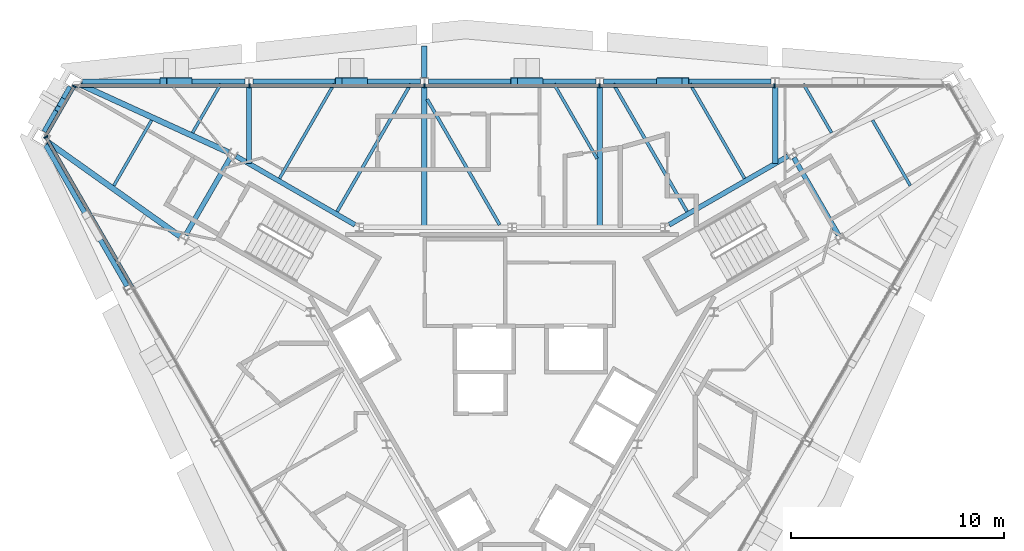
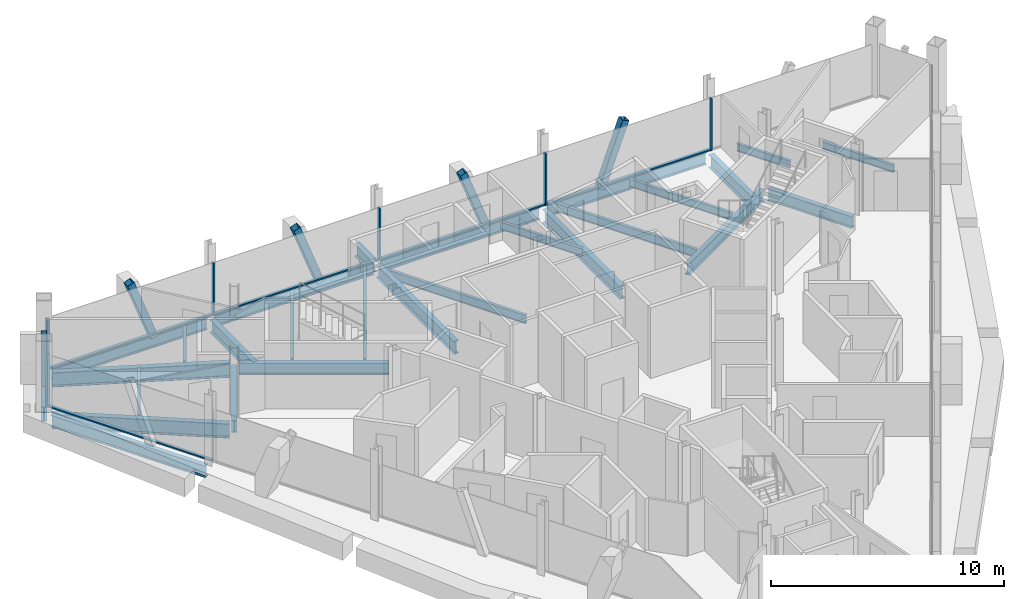
# One storey, part 6 of 14: 27 beams, 17 members, 3 elements without a shape of their own.
"""IFC4 building model written with IfcOpenShell, lengths in metres."""

from ifc_helpers import new_model, si_unit, direction, frame, origin, origin_2d, place, context, subcontext, project, spatial, rectangle, hollow_rectangle, i_section, extrude, material, material_profile, profile_set, type_object, element, aggregate, save


model = new_model("IFC4")

# Units and contexts
model_context = context("Model", 3, precision=1e-05, world=origin(), true_north=direction((0.0, 1.0)))
body_context = subcontext(model_context, "Body", "Model", "MODEL_VIEW")
ifc_project = project(units=[si_unit("LENGTHUNIT", "METRE"), si_unit("AREAUNIT", "SQUARE_METRE"), si_unit("VOLUMEUNIT", "CUBIC_METRE"), si_unit("PLANEANGLEUNIT", "RADIAN"), si_unit("MASSUNIT", "GRAM", prefix="KILO")], contexts=[model_context])

# Site, building, storey
site_placement = place(None, origin())
site = spatial("IfcSite", under=ifc_project, at=site_placement, CompositionType="ELEMENT")
building_placement = place(site_placement, origin())
building = spatial("IfcBuilding", under=site, at=building_placement, Name="Verrane Prism Tower", CompositionType="ELEMENT")
storey_placement = place(building_placement, frame((0.0, 0.0, 293.60009765625)))
storey = spatial("IfcBuildingStorey", under=building, at=storey_placement, Name="L74", CompositionType="ELEMENT", Elevation=293.60009765625)

# Member
ifc_material_1 = material(Name="Steel A500 Grade C", Category="steel")
ifc_material_profile_1 = material_profile(ifc_material_1, hollow_rectangle(XDim=0.25390625, YDim=0.25390625, WallThickness=0.009521484375, InnerFilletRadius=0.0048828125, OuterFilletRadius=0.014404296875, at=origin_2d()), Name="HSS10x10x3/8")
ifc_profile_set_1 = profile_set([ifc_material_profile_1], Name="Steel A500 Grade C")
member_type_1 = type_object("IfcMemberType", Name="Chamfer brace HSS10x10x3/8", PredefinedType="BRACE", material=ifc_profile_set_1)
member_1_placement = place(storey_placement, frame((-21.126953125, 12.73828125, -0.24267578125), z_axis=(-0.067784448094, -0.117358148939, 0.990773603541), x_axis=(0.865936922628, -0.500153222552, 0.0)))
element("IfcMember", 1, at=member_1_placement, inside=storey, type_object=member_type_1, Name="Chamfer brace NW0 L74", PredefinedType="BRACE", context=body_context, shape_type="SweptSolid", body=[
    extrude(hollow_rectangle(XDim=0.25390625, YDim=0.25390625, WallThickness=0.009521484375, InnerFilletRadius=0.0048828125, OuterFilletRadius=0.014404296875, at=origin_2d()), origin(), (0.0, 0.0, 1.0), 3.13720703125),
])

# Beams
ifc_material_2 = material(Name="Steel A992", Category="steel")
ifc_material_profile_2 = material_profile(ifc_material_2, i_section(OverallWidth=0.2666015625, OverallDepth=0.7568359375, WebThickness=0.013916015625, FlangeThickness=0.019287109375, FilletRadius=0.0166015625, at=origin_2d()), Name="W30x108")
ifc_profile_set_2 = profile_set([ifc_material_profile_2], Name="Steel A992")
beam_type_1 = type_object("IfcBeamType", Name="Chamfer spandrel beam W30x108", PredefinedType="SPANDREL", material=ifc_profile_set_2)
beam_1_placement = place(storey_placement, frame((-20.75, 13.390380859375, -0.53857421875), z_axis=(-0.500436097356, -0.865773476415, 0.0), x_axis=(0.865773476415, -0.500436097356, 0.0)))
element("IfcBeam", 2, at=beam_1_placement, inside=storey, type_object=beam_type_1, Name="Chamfer spandrel beam L74", PredefinedType="SPANDREL", context=body_context, shape_type="SweptSolid", body=[
    extrude(i_section(OverallWidth=0.2666015625, OverallDepth=0.7568359375, WebThickness=0.013916015625, FlangeThickness=0.019287109375, FilletRadius=0.0166015625, at=origin_2d()), origin(), (0.0, 0.0, 1.0), 2.437744140625),
])
ifc_material_3 = material(Name="Steel A992", Category="steel")
ifc_material_profile_3 = material_profile(ifc_material_3, i_section(OverallWidth=0.23046875, OverallDepth=0.6171875, WebThickness=0.01318359375, FlangeThickness=0.022216796875, FilletRadius=0.012939453125, at=origin_2d()), Name="W24x94")
ifc_profile_set_3 = profile_set([ifc_material_profile_3], Name="Steel A992")
beam_type_2 = type_object("IfcBeamType", Name="Core ring girder W24x94", PredefinedType="BEAM", material=ifc_profile_set_3)
beam_2_placement = place(storey_placement, frame((15.339599609375, 6.43359375, -0.55859375), z_axis=(-0.500306681185, 0.865848268903, 0.0), x_axis=(-0.865848268903, -0.500306681185, 0.0)))
element("IfcBeam", 3, at=beam_2_placement, inside=storey, type_object=beam_type_2, Name="Core ring girder L74", PredefinedType="BEAM", context=body_context, shape_type="SweptSolid", body=[
    extrude(i_section(OverallWidth=0.23046875, OverallDepth=0.6171875, WebThickness=0.01318359375, FlangeThickness=0.022216796875, FilletRadius=0.012939453125, at=origin_2d()), origin(), (0.0, 0.0, 1.0), 4.195556640625),
])
for number, where, z_axis, x_axis, name in (
    (4, (12.96728515625, 10.140380859375, -0.55859375), (-0.866080992722, -0.499903704773, 0.0), (0.499903704773, -0.866080992722, 0.0), "Core ring girder L74"),
    (5, (-7.37939453125, 6.9150390625, -0.55859375), (-0.866080992722, 0.499903704773, 0.0), (-0.499903704773, -0.866080992722, 0.0), "Core ring girder L74"),
):
    element("IfcBeam", number, at=place(storey_placement, frame(where, z_axis=z_axis, x_axis=x_axis)), inside=storey, type_object=beam_type_2, Name=name, PredefinedType="BEAM", context=body_context, shape_type="SweptSolid", body=[
        extrude(i_section(OverallWidth=0.23046875, OverallDepth=0.6171875, WebThickness=0.01318359375, FlangeThickness=0.022216796875, FilletRadius=0.012939453125, at=origin_2d()), origin(), (0.0, 0.0, 1.0), 6.451904296875),
    ])
beam_3_placement = place(storey_placement, frame((-13.240478515625, 10.06640625, -0.55859375), z_axis=(-0.500306681185, -0.865848268903, 0.0), x_axis=(0.865848268903, -0.500306681185, 0.0)))
element("IfcBeam", 6, at=beam_3_placement, inside=storey, type_object=beam_type_2, Name="Core ring girder L74", PredefinedType="BEAM", context=body_context, shape_type="SweptSolid", body=[
    extrude(i_section(OverallWidth=0.23046875, OverallDepth=0.6171875, WebThickness=0.01318359375, FlangeThickness=0.022216796875, FilletRadius=0.012939453125, at=origin_2d()), origin(), (0.0, 0.0, 1.0), 4.195556640625),
])
ifc_material_4 = material(Name="Steel A992", Category="steel")
ifc_material_profile_4 = material_profile(ifc_material_4, i_section(OverallWidth=0.2666015625, OverallDepth=0.7568359375, WebThickness=0.013916015625, FlangeThickness=0.019287109375, FilletRadius=0.0166015625, at=origin_2d()), Name="W30x108")
ifc_profile_set_4 = profile_set([ifc_material_profile_4], Name="Steel A992")
beam_type_3 = type_object("IfcBeamType", Name="Corner girder W30x108", PredefinedType="BEAM", material=ifc_profile_set_4)
for number, where, z_axis, x_axis, name in (
    (7, (-20.2802734375, 13.50390625, -0.5986328125), (0.909481370613, -0.415744677065, 0.0), (0.415744677065, 0.909481370613, 0.0), "Corner girder L74"),
    (8, (-21.833740234375, 10.81591796875, -0.5986328125), (0.814401339816, -0.580302040067, 0.0), (0.580302040067, 0.814401339816, 0.0), "Corner girder L74"),
):
    element("IfcBeam", number, at=place(storey_placement, frame(where, z_axis=z_axis, x_axis=x_axis)), inside=storey, type_object=beam_type_3, Name=name, PredefinedType="BEAM", context=body_context, shape_type="SweptSolid", body=[
        extrude(i_section(OverallWidth=0.2666015625, OverallDepth=0.7568359375, WebThickness=0.013916015625, FlangeThickness=0.019287109375, FilletRadius=0.0166015625, at=origin_2d()), origin(), (0.0, 0.0, 1.0), 7.650634765625),
    ])

# Members
ifc_material_5 = material(Name="Steel A500 Grade C", Category="steel")
ifc_material_profile_5 = material_profile(ifc_material_5, hollow_rectangle(XDim=0.355712890625, YDim=0.355712890625, WallThickness=0.0126953125, InnerFilletRadius=0.00634765625, OuterFilletRadius=0.01904296875, at=origin_2d()), Name="HSS14x14x1/2")
ifc_profile_set_5 = profile_set([ifc_material_profile_5], Name="Steel A500 Grade C")
member_type_2 = type_object("IfcMemberType", Name="Facade brace HSS14x14x1/2", PredefinedType="BRACE", material=ifc_profile_set_5)
for number, where, z_axis, x_axis, name in (
    (9, (6.960205078125, 13.64990234375, -0.216796875), (0.347950987795, 0.0, 0.937512725296), (0.0, 1.0, 0.0), "Facade brace N1 L74"),
    (10, (1.27978515625, 13.64990234375, -0.216796875), (-0.347950987795, 0.0, 0.937512725296), (0.0, -1.0, 0.0), "Facade brace N2 L74"),
    (11, (-6.960205078125, 13.64990234375, -0.216796875), (-0.347950987795, 0.0, 0.937512725296), (0.0, -1.0, 0.0), "Facade brace N3 L74"),
    (12, (-15.2001953125, 13.64990234375, -0.216796875), (-0.347950987795, 0.0, 0.937512725296), (0.0, -1.0, 0.0), "Facade brace N4 L74"),
):
    element("IfcMember", number, at=place(storey_placement, frame(where, z_axis=z_axis, x_axis=x_axis)), inside=storey, type_object=member_type_2, Name=name, PredefinedType="BRACE", context=body_context, shape_type="SweptSolid", body=[
        extrude(hollow_rectangle(XDim=0.355712890625, YDim=0.355712890625, WallThickness=0.0126953125, InnerFilletRadius=0.00634765625, OuterFilletRadius=0.01904296875, at=origin_2d()), origin(), (0.0, 0.0, 1.0), 3.409423828125),
    ])

# Beams
ifc_material_6 = material(Name="Steel A992", Category="steel")
ifc_material_profile_6 = material_profile(ifc_material_6, i_section(OverallWidth=0.140380859375, OverallDepth=0.40380859375, WebThickness=0.007080078125, FlangeThickness=0.01123046875, FilletRadius=0.01025390625, at=origin_2d()), Name="W16x31")
ifc_profile_set_6 = profile_set([ifc_material_profile_6], Name="Steel A992")
beam_type_4 = type_object("IfcBeamType", Name="Floor beam W16x31", PredefinedType="BEAM", material=ifc_profile_set_6)
beam_4_placement = place(storey_placement, frame((15.01123046875, 11.2421875, -0.362060546875), z_axis=(-0.50007632508, 0.865981332994, 0.0), x_axis=(-0.865981332994, -0.50007632508, 0.0)))
element("IfcBeam", 13, at=beam_4_placement, inside=storey, type_object=beam_type_4, Name="Floor beam L74", PredefinedType="BEAM", context=body_context, shape_type="SweptSolid", body=[
    extrude(i_section(OverallWidth=0.140380859375, OverallDepth=0.40380859375, WebThickness=0.007080078125, FlangeThickness=0.01123046875, FilletRadius=0.01025390625, at=origin_2d()), origin(), (0.0, 0.0, 1.0), 2.6474609375),
])
beam_5_placement = place(storey_placement, frame((10.925048828125, 9.094482421875, -0.362060546875), z_axis=(-0.500005474671, 0.866022242959, 0.0), x_axis=(-0.866022242959, -0.500005474671, 0.0)))
element("IfcBeam", 14, at=beam_5_placement, inside=storey, type_object=beam_type_4, Name="Floor beam L74", PredefinedType="BEAM", context=body_context, shape_type="SweptSolid", body=[
    extrude(i_section(OverallWidth=0.140380859375, OverallDepth=0.40380859375, WebThickness=0.007080078125, FlangeThickness=0.01123046875, FilletRadius=0.01025390625, at=origin_2d()), origin(), (0.0, 0.0, 1.0), 5.12744140625),
])
beam_6_placement = place(storey_placement, frame((3.992919921875, 10.029296875, -0.362060546875), z_axis=(-0.499992196334, 0.866029909186, 0.0), x_axis=(-0.866029909186, -0.499992196334, 0.0)))
element("IfcBeam", 15, at=beam_6_placement, inside=storey, type_object=beam_type_4, Name="Floor beam L74", PredefinedType="BEAM", context=body_context, shape_type="SweptSolid", body=[
    extrude(i_section(OverallWidth=0.140380859375, OverallDepth=0.40380859375, WebThickness=0.007080078125, FlangeThickness=0.01123046875, FilletRadius=0.01025390625, at=origin_2d()), origin(), (0.0, 0.0, 1.0), 4.0478515625),
])
beam_7_placement = place(storey_placement, frame((-10.925048828125, 9.094482421875, -0.362060546875), z_axis=(0.500005474671, 0.866022242959, 0.0), x_axis=(-0.866022242959, 0.500005474671, 0.0)))
element("IfcBeam", 16, at=beam_7_placement, inside=storey, type_object=beam_type_4, Name="Floor beam L74", PredefinedType="BEAM", context=body_context, shape_type="SweptSolid", body=[
    extrude(i_section(OverallWidth=0.140380859375, OverallDepth=0.40380859375, WebThickness=0.007080078125, FlangeThickness=0.01123046875, FilletRadius=0.01025390625, at=origin_2d()), origin(), (0.0, 0.0, 1.0), 5.12744140625),
])
beam_8_placement = place(storey_placement, frame((-15.01123046875, 11.2421875, -0.362060546875), z_axis=(0.50007632508, 0.865981332994, 0.0), x_axis=(-0.865981332994, 0.50007632508, 0.0)))
element("IfcBeam", 17, at=beam_8_placement, inside=storey, type_object=beam_type_4, Name="Floor beam L74", PredefinedType="BEAM", context=body_context, shape_type="SweptSolid", body=[
    extrude(i_section(OverallWidth=0.140380859375, OverallDepth=0.40380859375, WebThickness=0.007080078125, FlangeThickness=0.01123046875, FilletRadius=0.01025390625, at=origin_2d()), origin(), (0.0, 0.0, 1.0), 2.6474609375),
])
for number, where, z_axis, x_axis, name in (
    (18, (18.712158203125, 8.755615234375, -0.362060546875), (-0.499986454343, 0.866033224232, 0.0), (-0.866033224232, -0.499986454343, 0.0), "Floor beam L74"),
    (19, (-18.712158203125, 8.755615234375, -0.362060546875), (0.499986454343, 0.866033224232, 0.0), (-0.866033224232, 0.499986454343, 0.0), "Floor beam L74"),
):
    element("IfcBeam", number, at=place(storey_placement, frame(where, z_axis=z_axis, x_axis=x_axis)), inside=storey, type_object=beam_type_4, Name=name, PredefinedType="BEAM", context=body_context, shape_type="SweptSolid", body=[
        extrude(i_section(OverallWidth=0.140380859375, OverallDepth=0.40380859375, WebThickness=0.007080078125, FlangeThickness=0.01123046875, FilletRadius=0.01025390625, at=origin_2d()), origin(), (0.0, 0.0, 1.0), 3.548828125),
    ])
ifc_material_7 = material(Name="Steel A992", Category="steel")
ifc_material_profile_7 = material_profile(ifc_material_7, i_section(OverallWidth=0.15234375, OverallDepth=0.449462890625, WebThickness=0.007568359375, FlangeThickness=0.0107421875, FilletRadius=0.01025390625, at=origin_2d()), Name="W18x35")
ifc_profile_set_7 = profile_set([ifc_material_profile_7], Name="Steel A992")
beam_type_5 = type_object("IfcBeamType", Name="Floor beam W18x35", PredefinedType="BEAM", material=ifc_profile_set_7)
beam_9_placement = place(storey_placement, frame((8.22265625, 7.53466796875, -0.385009765625), z_axis=(-0.500012221024, 0.866018347858, 0.0), x_axis=(-0.866018347858, -0.500012221024, 0.0)))
element("IfcBeam", 20, at=beam_9_placement, inside=storey, type_object=beam_type_5, Name="Floor beam L74", PredefinedType="BEAM", context=body_context, shape_type="SweptSolid", body=[
    extrude(i_section(OverallWidth=0.15234375, OverallDepth=0.449462890625, WebThickness=0.007568359375, FlangeThickness=0.0107421875, FilletRadius=0.01025390625, at=origin_2d()), origin(), (0.0, 0.0, 1.0), 6.928466796875),
])
beam_10_placement = place(storey_placement, frame((-0.583251953125, 6.9150390625, -0.385009765625), z_axis=(-0.499997234054, 0.866027000698, 0.0), x_axis=(-0.866027000698, -0.499997234054, 0.0)))
element("IfcBeam", 21, at=beam_10_placement, inside=storey, type_object=beam_type_5, Name="Floor beam L74", PredefinedType="BEAM", context=body_context, shape_type="SweptSolid", body=[
    extrude(i_section(OverallWidth=0.15234375, OverallDepth=0.449462890625, WebThickness=0.007568359375, FlangeThickness=0.0107421875, FilletRadius=0.01025390625, at=origin_2d()), origin(), (0.0, 0.0, 1.0), 6.8193359375),
])
beam_11_placement = place(storey_placement, frame((-8.22265625, 7.53466796875, -0.385009765625), z_axis=(0.500012221024, 0.866018347858, 0.0), x_axis=(-0.866018347858, 0.500012221024, 0.0)))
element("IfcBeam", 22, at=beam_11_placement, inside=storey, type_object=beam_type_5, Name="Floor beam L74", PredefinedType="BEAM", context=body_context, shape_type="SweptSolid", body=[
    extrude(i_section(OverallWidth=0.15234375, OverallDepth=0.449462890625, WebThickness=0.007568359375, FlangeThickness=0.0107421875, FilletRadius=0.01025390625, at=origin_2d()), origin(), (0.0, 0.0, 1.0), 6.928466796875),
])

# Curtain wall, members
ifc_material_8 = material(Name="Aluminium framed insulated glazing", Category="aluminium")
curtain_wall_type = type_object("IfcCurtainWallType", Name="Curtain wall CW-A 8400 module", PredefinedType="NOTDEFINED", material=ifc_material_8)
curtain_wall_1_placement = place(storey_placement, origin())
curtain_wall_1 = element("IfcCurtainWall", 23, at=curtain_wall_1_placement, inside=storey, type_object=curtain_wall_type, Name="Glazed curtain wall north face L74", PredefinedType="NOTDEFINED")
ifc_material_9 = material(Name="Aluminium alloy 6063-T6", Category="aluminium")
ifc_material_profile_8 = material_profile(ifc_material_9, rectangle(XDim=0.199951171875, YDim=0.070068359375, at=origin_2d()), Name="Mullion 70x200 aluminium")
ifc_profile_set_8 = profile_set([ifc_material_profile_8], Name="Aluminium alloy 6063-T6")
member_type_3 = type_object("IfcMemberType", Name="Mullion 70x200 aluminium", PredefinedType="MULLION", material=ifc_profile_set_8)
member_2_placement = place(storey_placement, frame((12.32763671875, 13.447265625, 0.0), z_axis=(0.0, 0.0, 1.0), x_axis=(0.0, -1.0, 0.0)))
member_2 = element("IfcMember", 24, at=member_2_placement, type_object=member_type_3, Name="CW72.2 mullion 2", PredefinedType="MULLION", context=body_context, shape_type="SweptSolid", body=[
    extrude(rectangle(XDim=0.199951171875, YDim=0.070068359375, at=origin_2d()), origin(), (0.0, 0.0, 1.0), 2.722900390625),
])
member_3_placement = place(storey_placement, frame((4.109130859375, 13.447265625, 0.0), z_axis=(0.0, 0.0, 1.0), x_axis=(0.0, -1.0, 0.0)))
member_3 = element("IfcMember", 25, at=member_3_placement, type_object=member_type_3, Name="CW72.2 mullion 3", PredefinedType="MULLION", context=body_context, shape_type="SweptSolid", body=[
    extrude(rectangle(XDim=0.199951171875, YDim=0.070068359375, at=origin_2d()), origin(), (0.0, 0.0, 1.0), 2.722900390625),
])
member_4_placement = place(storey_placement, frame((-4.109130859375, 13.447265625, 0.0), z_axis=(0.0, 0.0, 1.0), x_axis=(0.0, -1.0, 0.0)))
member_4 = element("IfcMember", 26, at=member_4_placement, type_object=member_type_3, Name="CW72.2 mullion 4", PredefinedType="MULLION", context=body_context, shape_type="SweptSolid", body=[
    extrude(rectangle(XDim=0.199951171875, YDim=0.070068359375, at=origin_2d()), origin(), (0.0, 0.0, 1.0), 2.722900390625),
])
member_5_placement = place(storey_placement, frame((-12.32763671875, 13.447265625, 0.0), z_axis=(0.0, 0.0, 1.0), x_axis=(0.0, -1.0, 0.0)))
member_5 = element("IfcMember", 27, at=member_5_placement, type_object=member_type_3, Name="CW72.2 mullion 5", PredefinedType="MULLION", context=body_context, shape_type="SweptSolid", body=[
    extrude(rectangle(XDim=0.199951171875, YDim=0.070068359375, at=origin_2d()), origin(), (0.0, 0.0, 1.0), 2.722900390625),
])

# Curtain wall, member
curtain_wall_2_placement = place(storey_placement, origin())
curtain_wall_2 = element("IfcCurtainWall", 28, at=curtain_wall_2_placement, inside=storey, type_object=curtain_wall_type, Name="Glazed curtain wall north-west corner L74", PredefinedType="NOTDEFINED")
member_6_placement = place(storey_placement, frame((-20.563720703125, 13.4169921875, 0.0), z_axis=(0.0, 0.0, 1.0), x_axis=(0.866024225493, -0.500002040855, 0.0)))
member_6 = element("IfcMember", 29, at=member_6_placement, type_object=member_type_3, Name="CW72.3 mullion 1", PredefinedType="MULLION", context=body_context, shape_type="SweptSolid", body=[
    extrude(rectangle(XDim=0.199951171875, YDim=0.070068359375, at=origin_2d()), origin(), (0.0, 0.0, 1.0), 2.722900390625),
])

curtain_wall_3_placement = place(storey_placement, origin())
curtain_wall_3 = element("IfcCurtainWall", 30, at=curtain_wall_3_placement, inside=storey, type_object=curtain_wall_type, Name="Glazed curtain wall south-west face L74", PredefinedType="NOTDEFINED")
member_7_placement = place(storey_placement, frame((-21.901123046875, 11.03955078125, 0.0), z_axis=(0.0, 0.0, 1.0), x_axis=(0.866024861728, 0.500000938868, 0.0)))
member_7 = element("IfcMember", 31, at=member_7_placement, type_object=member_type_3, Name="CW72.4 mullion 1", PredefinedType="MULLION", context=body_context, shape_type="SweptSolid", body=[
    extrude(rectangle(XDim=0.199951171875, YDim=0.070068359375, at=origin_2d()), origin(), (0.0, 0.0, 1.0), 2.722900390625),
])

# Beams
ifc_material_10 = material(Name="Steel A992", Category="steel")
ifc_material_profile_9 = material_profile(ifc_material_10, i_section(OverallWidth=0.25390625, OverallDepth=0.683349609375, WebThickness=0.012451171875, FlangeThickness=0.01904296875, FilletRadius=0.01513671875, at=origin_2d()), Name="W27x94")
ifc_profile_set_9 = profile_set([ifc_material_profile_9], Name="Steel A992")
beam_type_6 = type_object("IfcBeamType", Name="Radial girder W27x94", PredefinedType="BEAM", material=ifc_profile_set_9)
beam_12_placement = place(storey_placement, frame((12.360107421875, 13.4658203125, -0.561767578125), z_axis=(0.0, -1.0, 0.0), x_axis=(1.0, 0.0, 0.0)))
element("IfcBeam", 32, at=beam_12_placement, inside=storey, type_object=beam_type_6, Name="Radial girder L74", PredefinedType="BEAM", context=body_context, shape_type="SweptSolid", body=[
    extrude(i_section(OverallWidth=0.25390625, OverallDepth=0.683349609375, WebThickness=0.012451171875, FlangeThickness=0.01904296875, FilletRadius=0.01513671875, at=origin_2d()), origin(), (0.0, 0.0, 1.0), 3.676025390625),
])
for number, where, z_axis, x_axis, name in (
    (33, (4.1201171875, 13.4658203125, -0.561767578125), (0.0, -1.0, 0.0), (1.0, 0.0, 0.0), "Radial girder L74"),
    (34, (-4.1201171875, 13.4658203125, -0.561767578125), (0.0, -1.0, 0.0), (1.0, 0.0, 0.0), "Radial girder L74"),
):
    element("IfcBeam", number, at=place(storey_placement, frame(where, z_axis=z_axis, x_axis=x_axis)), inside=storey, type_object=beam_type_6, Name=name, PredefinedType="BEAM", context=body_context, shape_type="SweptSolid", body=[
        extrude(i_section(OverallWidth=0.25390625, OverallDepth=0.683349609375, WebThickness=0.012451171875, FlangeThickness=0.01904296875, FilletRadius=0.01513671875, at=origin_2d()), origin(), (0.0, 0.0, 1.0), 6.665771484375),
    ])
beam_13_placement = place(storey_placement, frame((-12.360107421875, 13.4658203125, -0.561767578125), z_axis=(0.0, -1.0, 0.0), x_axis=(1.0, 0.0, 0.0)))
element("IfcBeam", 35, at=beam_13_placement, inside=storey, type_object=beam_type_6, Name="Radial girder L74", PredefinedType="BEAM", context=body_context, shape_type="SweptSolid", body=[
    extrude(i_section(OverallWidth=0.25390625, OverallDepth=0.683349609375, WebThickness=0.012451171875, FlangeThickness=0.01904296875, FilletRadius=0.01513671875, at=origin_2d()), origin(), (0.0, 0.0, 1.0), 3.676025390625),
])
beam_14_placement = place(storey_placement, frame((-4.1201171875, 13.830078125, -0.561767578125), z_axis=(0.0, 1.0, 0.0), x_axis=(-1.0, 0.0, 0.0)))
element("IfcBeam", 36, at=beam_14_placement, inside=storey, type_object=beam_type_6, Name="Cantilever girder L74", PredefinedType="BEAM", context=body_context, shape_type="SweptSolid", body=[
    extrude(i_section(OverallWidth=0.25390625, OverallDepth=0.683349609375, WebThickness=0.012451171875, FlangeThickness=0.01904296875, FilletRadius=0.01513671875, at=origin_2d()), origin(), (0.0, 0.0, 1.0), 1.475830078125),
])
ifc_material_11 = material(Name="Steel A992", Category="steel")
ifc_material_profile_10 = material_profile(ifc_material_11, i_section(OverallWidth=0.23046875, OverallDepth=0.6171875, WebThickness=0.01318359375, FlangeThickness=0.022216796875, FilletRadius=0.012939453125, at=origin_2d()), Name="W24x94")
ifc_profile_set_10 = profile_set([ifc_material_profile_10], Name="Steel A992")
beam_type_7 = type_object("IfcBeamType", Name="Spandrel beam W24x94", PredefinedType="SPANDREL", material=ifc_profile_set_10)
for number, where, z_axis, x_axis, name in (
    (37, (12.17333984375, 13.64990234375, -0.46875), (-1.0, 0.0, 0.0), (0.0, -1.0, 0.0), "Spandrel beam L74"),
    (38, (3.933349609375, 13.64990234375, -0.46875), (-1.0, 0.0, 0.0), (0.0, -1.0, 0.0), "Spandrel beam L74"),
    (39, (-4.306640625, 13.64990234375, -0.46875), (-1.0, 0.0, 0.0), (0.0, -1.0, 0.0), "Spandrel beam L74"),
):
    element("IfcBeam", number, at=place(storey_placement, frame(where, z_axis=z_axis, x_axis=x_axis)), inside=storey, type_object=beam_type_7, Name=name, PredefinedType="SPANDREL", context=body_context, shape_type="SweptSolid", body=[
        extrude(i_section(OverallWidth=0.23046875, OverallDepth=0.6171875, WebThickness=0.01318359375, FlangeThickness=0.022216796875, FilletRadius=0.012939453125, at=origin_2d()), origin(), (0.0, 0.0, 1.0), 7.86669921875),
    ])
beam_15_placement = place(storey_placement, frame((-12.546630859375, 13.64990234375, -0.46875), z_axis=(-1.0, 0.0, 0.0), x_axis=(0.0, -1.0, 0.0)))
element("IfcBeam", 40, at=beam_15_placement, inside=storey, type_object=beam_type_7, Name="Spandrel beam L74", PredefinedType="SPANDREL", context=body_context, shape_type="SweptSolid", body=[
    extrude(i_section(OverallWidth=0.23046875, OverallDepth=0.6171875, WebThickness=0.01318359375, FlangeThickness=0.022216796875, FilletRadius=0.012939453125, at=origin_2d()), origin(), (0.0, 0.0, 1.0), 7.649169921875),
])
beam_16_placement = place(storey_placement, frame((-21.91796875, 10.669921875, -0.46875), z_axis=(0.499797022492, -0.866142561192, 0.0), x_axis=(0.866142561192, 0.499797022492, 0.0)))
element("IfcBeam", 41, at=beam_16_placement, inside=storey, type_object=beam_type_7, Name="Spandrel beam L74", PredefinedType="SPANDREL", context=body_context, shape_type="SweptSolid", body=[
    extrude(i_section(OverallWidth=0.23046875, OverallDepth=0.6171875, WebThickness=0.01318359375, FlangeThickness=0.022216796875, FilletRadius=0.012939453125, at=origin_2d()), origin(), (0.0, 0.0, 1.0), 7.652587890625),
])

# Member
ifc_material_12 = material(Name="Aluminium alloy 6063-T6", Category="aluminium")
ifc_material_profile_11 = material_profile(ifc_material_12, rectangle(XDim=0.14990234375, YDim=0.070068359375, at=origin_2d()), Name="Transom 70x150 aluminium")
ifc_profile_set_11 = profile_set([ifc_material_profile_11], Name="Aluminium alloy 6063-T6")
member_type_4 = type_object("IfcMemberType", Name="Transom 70x150 aluminium", PredefinedType="USERDEFINED", material=ifc_profile_set_11)
member_8_placement = place(storey_placement, frame((12.292724609375, 13.447265625, 0.034912109375), z_axis=(-1.0, 0.0, 0.0), x_axis=(0.0, -1.0, 0.0)))
member_8 = element("IfcMember", 42, at=member_8_placement, type_object=member_type_4, Name="CW72.2 transom 2", ObjectType="TRANSOM", PredefinedType="USERDEFINED", context=body_context, shape_type="SweptSolid", body=[
    extrude(rectangle(XDim=0.14990234375, YDim=0.070068359375, at=origin_2d()), origin(), (0.0, 0.0, 1.0), 8.1484375),
])

member_9_placement = place(storey_placement, frame((4.07421875, 13.447265625, 0.034912109375), z_axis=(-1.0, 0.0, 0.0), x_axis=(0.0, -1.0, 0.0)))
member_9 = element("IfcMember", 43, at=member_9_placement, type_object=member_type_4, Name="CW72.2 transom 3", ObjectType="TRANSOM", PredefinedType="USERDEFINED", context=body_context, shape_type="SweptSolid", body=[
    extrude(rectangle(XDim=0.14990234375, YDim=0.070068359375, at=origin_2d()), origin(), (0.0, 0.0, 1.0), 8.1484375),
])

member_10_placement = place(storey_placement, frame((-4.144287109375, 13.447265625, 0.034912109375), z_axis=(-1.0, 0.0, 0.0), x_axis=(0.0, -1.0, 0.0)))
member_10 = element("IfcMember", 44, at=member_10_placement, type_object=member_type_4, Name="CW72.2 transom 4", ObjectType="TRANSOM", PredefinedType="USERDEFINED", context=body_context, shape_type="SweptSolid", body=[
    extrude(rectangle(XDim=0.14990234375, YDim=0.070068359375, at=origin_2d()), origin(), (0.0, 0.0, 1.0), 8.1484375),
])

member_11_placement = place(storey_placement, frame((-12.362548828125, 13.447265625, 0.034912109375), z_axis=(-1.0, 0.0, 0.0), x_axis=(0.0, -1.0, 0.0)))
member_11 = element("IfcMember", 45, at=member_11_placement, type_object=member_type_4, Name="CW72.2 transom 5", ObjectType="TRANSOM", PredefinedType="USERDEFINED", context=body_context, shape_type="SweptSolid", body=[
    extrude(rectangle(XDim=0.14990234375, YDim=0.070068359375, at=origin_2d()), origin(), (0.0, 0.0, 1.0), 8.18359375),
])

aggregate(curtain_wall_1, [member_2, member_3, member_4, member_5, member_8, member_9, member_10, member_11])

member_12_placement = place(storey_placement, frame((-20.5810546875, 13.386474609375, 0.034912109375), z_axis=(-0.50003581814, -0.866004723184, 0.0), x_axis=(0.866004723184, -0.50003581814, 0.0)))
member_12 = element("IfcMember", 46, at=member_12_placement, type_object=member_type_4, Name="CW72.3 transom 1", ObjectType="TRANSOM", PredefinedType="USERDEFINED", context=body_context, shape_type="SweptSolid", body=[
    extrude(rectangle(XDim=0.14990234375, YDim=0.070068359375, at=origin_2d()), origin(), (0.0, 0.0, 1.0), 2.675048828125),
])

aggregate(curtain_wall_2, [member_6, member_12])

member_13_placement = place(storey_placement, frame((-21.8837890625, 11.00927734375, 0.034912109375), z_axis=(0.500006361831, -0.866021730749, 0.0), x_axis=(0.866021730749, 0.500006361831, 0.0)))
member_13 = element("IfcMember", 47, at=member_13_placement, type_object=member_type_4, Name="CW72.4 transom 1", ObjectType="TRANSOM", PredefinedType="USERDEFINED", context=body_context, shape_type="SweptSolid", body=[
    extrude(rectangle(XDim=0.14990234375, YDim=0.070068359375, at=origin_2d()), origin(), (0.0, 0.0, 1.0), 8.11376953125),
])

aggregate(curtain_wall_3, [member_7, member_13])

save(model, "model.ifc")
